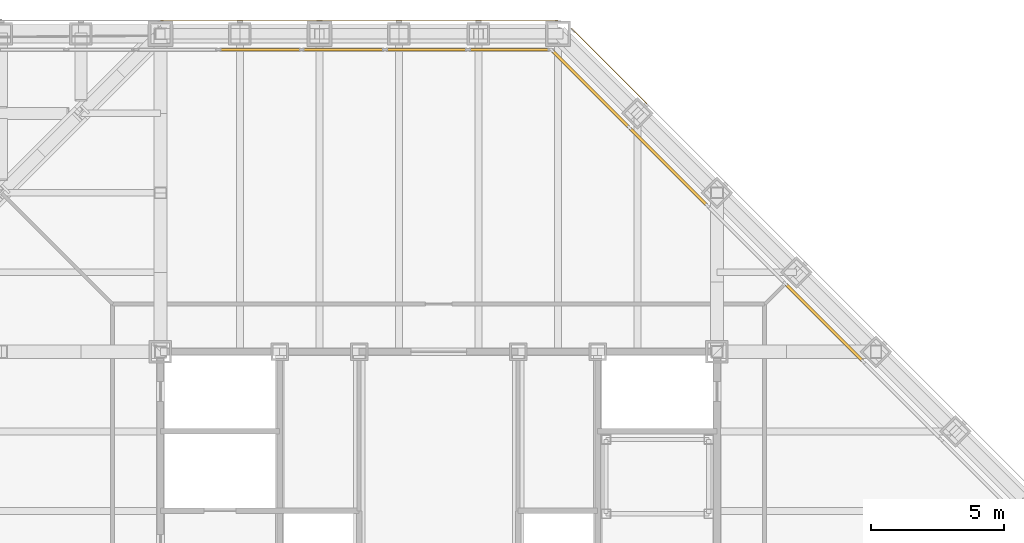
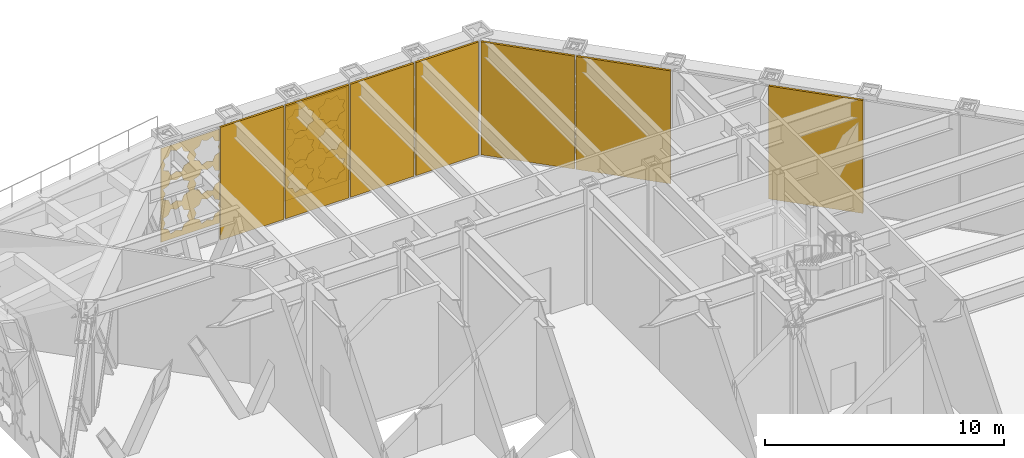
# One storey, part 27 of 28: 7 shading devices, 6 coverings, 2 elements without a shape of their own.
"""IFC4 building model written with IfcOpenShell, lengths in metres."""

from ifc_helpers import new_model, si_unit, direction, frame, origin, origin_2d, place, context, subcontext, project, spatial, polyline, rectangle, outline, extrude, material, layer, layer_set, type_object, element, aggregate, save


model = new_model("IFC4")

# Units and contexts
model_context = context("Model", 3, precision=1e-05, world=origin(), true_north=direction((0.0, 1.0)))
body_context = subcontext(model_context, "Body", "Model", "MODEL_VIEW")
ifc_project = project(units=[si_unit("LENGTHUNIT", "METRE"), si_unit("AREAUNIT", "SQUARE_METRE"), si_unit("VOLUMEUNIT", "CUBIC_METRE"), si_unit("PLANEANGLEUNIT", "RADIAN"), si_unit("MASSUNIT", "GRAM", prefix="KILO")], contexts=[model_context])

# Site, building, storey
site_placement = place(None, origin())
site = spatial("IfcSite", under=ifc_project, at=site_placement, CompositionType="ELEMENT")
building_placement = place(site_placement, origin())
building = spatial("IfcBuilding", under=site, at=building_placement, Name="Chuquiago Exchange Tower", CompositionType="ELEMENT")
storey_placement = place(building_placement, frame((0.0, 0.0, 174.0)))
storey = spatial("IfcBuildingStorey", under=building, at=storey_placement, Name="L38", CompositionType="ELEMENT", Elevation=174.0)

# Curtain wall, shading devices
ifc_material_1 = material(Name="Aluminium curtain wall system", Category="aluminium")
ifc_layer_1 = layer(ifc_material_1, 0.199951171875)
ifc_layer_set_1 = layer_set([ifc_layer_1], Name="CW6 plant floor louvre wall")
curtain_wall_type = type_object("IfcCurtainWallType", Name="CW6 plant floor louvre wall", PredefinedType="NOTDEFINED", material=ifc_layer_set_1)
curtain_wall_1_placement = place(storey_placement, origin())
curtain_wall_1 = element("IfcCurtainWall", 1, at=curtain_wall_1_placement, inside=storey, type_object=curtain_wall_type, Name="CW6 curtain wall L38", PredefinedType="NOTDEFINED")
ifc_material_2 = material(Name="Aluminium louvre", Category="aluminium")
ifc_layer_2 = layer(ifc_material_2, 0.10009765625)
ifc_layer_set_2 = layer_set([ifc_layer_2], Name="CW6-P louvre panel 100")
shading_device_type = type_object("IfcShadingDeviceType", Name="CW6-P louvre panel 100", PredefinedType="USERDEFINED", material=ifc_layer_set_2)
shading_device_1_placement = place(storey_placement, frame((37.04638671875, 34.10498046875, 0.0751953125), z_axis=(0.0, 0.0, 1.0), x_axis=(-0.707106781187, 0.707106781187, 0.0)))
shading_device_1 = element("IfcShadingDevice", 2, at=shading_device_1_placement, type_object=shading_device_type, Name="CW6 panel 3.1", ObjectType="LOUVER", PredefinedType="USERDEFINED", context=body_context, shape_type="SweptSolid", body=[
    extrude(rectangle(XDim=4.084716796875, YDim=0.10009765625, at=origin_2d()), origin(), (0.0, 0.0, 1.0), 5.764892578125),
])
shading_device_2_placement = place(storey_placement, frame((31.16357421875, 39.98779296875, 0.0751953125), z_axis=(0.0, 0.0, 1.0), x_axis=(-0.707106781187, 0.707106781187, 0.0)))
shading_device_2 = element("IfcShadingDevice", 3, at=shading_device_2_placement, type_object=shading_device_type, Name="CW6 panel 5.1", ObjectType="LOUVER", PredefinedType="USERDEFINED", context=body_context, shape_type="SweptSolid", body=[
    extrude(rectangle(XDim=4.084716796875, YDim=0.10009765625, at=origin_2d()), origin(), (0.0, 0.0, 1.0), 5.764892578125),
])
shading_device_3_placement = place(storey_placement, frame((28.2353515625, 42.916015625, 0.0751953125), z_axis=(0.0, 0.0, 1.0), x_axis=(-0.707106781187, 0.707106781187, 0.0)))
shading_device_3 = element("IfcShadingDevice", 4, at=shading_device_3_placement, type_object=shading_device_type, Name="CW6 panel 6.1", ObjectType="LOUVER", PredefinedType="USERDEFINED", context=body_context, shape_type="SweptSolid", body=[
    extrude(rectangle(XDim=4.04736328125, YDim=0.10009765625, at=origin_2d()), origin(), (0.0, 0.0, 1.0), 5.764892578125),
])
aggregate(curtain_wall_1, [shading_device_1, shading_device_2, shading_device_3])

curtain_wall_2_placement = place(storey_placement, origin())
curtain_wall_2 = element("IfcCurtainWall", 5, at=curtain_wall_2_placement, inside=storey, type_object=curtain_wall_type, Name="CW6 curtain wall L38", PredefinedType="NOTDEFINED")
shading_device_4_placement = place(storey_placement, frame((25.162353515625, 44.39990234375, 0.0751953125), z_axis=(0.0, 0.0, 1.0), x_axis=(-1.0, 0.0, 0.0)))
shading_device_4 = element("IfcShadingDevice", 6, at=shading_device_4_placement, type_object=shading_device_type, Name="CW6 panel 1.1", ObjectType="LOUVER", PredefinedType="USERDEFINED", context=body_context, shape_type="SweptSolid", body=[
    extrude(rectangle(XDim=3.028564453125, YDim=0.10009765625, at=origin_2d()), origin(), (0.0, 0.0, 1.0), 5.764892578125),
])
shading_device_5_placement = place(storey_placement, frame((22.0400390625, 44.39990234375, 0.0751953125), z_axis=(0.0, 0.0, 1.0), x_axis=(-1.0, 0.0, 0.0)))
shading_device_5 = element("IfcShadingDevice", 7, at=shading_device_5_placement, type_object=shading_device_type, Name="CW6 panel 2.1", ObjectType="LOUVER", PredefinedType="USERDEFINED", context=body_context, shape_type="SweptSolid", body=[
    extrude(rectangle(XDim=3.06591796875, YDim=0.10009765625, at=origin_2d()), origin(), (0.0, 0.0, 1.0), 5.764892578125),
])
shading_device_6_placement = place(storey_placement, frame((18.89892578125, 44.39990234375, 0.0751953125), z_axis=(0.0, 0.0, 1.0), x_axis=(-1.0, 0.0, 0.0)))
shading_device_6 = element("IfcShadingDevice", 8, at=shading_device_6_placement, type_object=shading_device_type, Name="CW6 panel 3.1", ObjectType="LOUVER", PredefinedType="USERDEFINED", context=body_context, shape_type="SweptSolid", body=[
    extrude(rectangle(XDim=3.06591796875, YDim=0.10009765625, at=origin_2d()), origin(), (0.0, 0.0, 1.0), 5.764892578125),
])
shading_device_7_placement = place(storey_placement, frame((15.758056640625, 44.39990234375, 0.0751953125), z_axis=(0.0, 0.0, 1.0), x_axis=(-1.0, 0.0, 0.0)))
shading_device_7 = element("IfcShadingDevice", 9, at=shading_device_7_placement, type_object=shading_device_type, Name="CW6 panel 4.1", ObjectType="LOUVER", PredefinedType="USERDEFINED", context=body_context, shape_type="SweptSolid", body=[
    extrude(rectangle(XDim=3.06591796875, YDim=0.10009765625, at=origin_2d()), origin(), (0.0, 0.0, 1.0), 5.764892578125),
])
aggregate(curtain_wall_2, [shading_device_4, shading_device_5, shading_device_6, shading_device_7])

# Coverings
ifc_material_3 = material(Name="Anodised aluminium, pale", Category="aluminium")
ifc_layer_3 = layer(ifc_material_3, 0.02001953125)
ifc_layer_set_3 = layer_set([ifc_layer_3], Name="GC1 girih cladding panel 20")
covering_type_1 = type_object("IfcCoveringType", Name="GC1 girih cladding panel 20", PredefinedType="CLADDING", material=ifc_layer_set_3)
covering_1_placement = place(storey_placement, frame((26.9951171875, 45.5, 0.050048828125), z_axis=(0.0, 0.0, 1.0), x_axis=(-1.0, 0.0, 0.0)))
element("IfcCovering", 10, at=covering_1_placement, inside=storey, type_object=covering_type_1, Name="Girih cladding panel L38 N 1", PredefinedType="CLADDING", context=body_context, shape_type="SweptSolid", body=[
    extrude(outline(polyline([(0.0, 0.0), (2.989990234375, 0.0), (2.989990234375, 4.7900390625), (0.0, 4.7900390625), (0.0, 0.0)]), holes=[polyline([(1.27392578125, 0.89990234375), (1.3828125, 1.1630859375), (1.11962890625, 1.272216796875), (1.0107421875, 1.535400390625), (0.74755859375, 1.42626953125), (0.484375, 1.535400390625), (0.375244140625, 1.272216796875), (0.112060546875, 1.1630859375), (0.22119140625, 0.89990234375), (0.112060546875, 0.63671875), (0.375244140625, 0.52783203125), (0.484375, 0.2646484375), (0.74755859375, 0.37353515625), (1.0107421875, 0.2646484375), (1.11962890625, 0.52783203125), (1.3828125, 0.63671875), (1.27392578125, 0.89990234375)]), polyline([(2.768798828125, 0.89990234375), (2.8779296875, 1.1630859375), (2.61474609375, 1.272216796875), (2.505615234375, 1.535400390625), (2.242431640625, 1.42626953125), (1.979248046875, 1.535400390625), (1.870361328125, 1.272216796875), (1.607177734375, 1.1630859375), (1.716064453125, 0.89990234375), (1.607177734375, 0.63671875), (1.870361328125, 0.52783203125), (1.979248046875, 0.2646484375), (2.242431640625, 0.37353515625), (2.505615234375, 0.2646484375), (2.61474609375, 0.52783203125), (2.8779296875, 0.63671875), (2.768798828125, 0.89990234375)]), polyline([(1.27392578125, 2.39501953125), (1.3828125, 2.658203125), (1.11962890625, 2.76708984375), (1.0107421875, 3.0302734375), (0.74755859375, 2.92138671875), (0.484375, 3.0302734375), (0.375244140625, 2.76708984375), (0.112060546875, 2.658203125), (0.22119140625, 2.39501953125), (0.112060546875, 2.1318359375), (0.375244140625, 2.022705078125), (0.484375, 1.759521484375), (0.74755859375, 1.86865234375), (1.0107421875, 1.759521484375), (1.11962890625, 2.022705078125), (1.3828125, 2.1318359375), (1.27392578125, 2.39501953125)]), polyline([(2.768798828125, 2.39501953125), (2.8779296875, 2.658203125), (2.61474609375, 2.76708984375), (2.505615234375, 3.0302734375), (2.242431640625, 2.92138671875), (1.979248046875, 3.0302734375), (1.870361328125, 2.76708984375), (1.607177734375, 2.658203125), (1.716064453125, 2.39501953125), (1.607177734375, 2.1318359375), (1.870361328125, 2.022705078125), (1.979248046875, 1.759521484375), (2.242431640625, 1.86865234375), (2.505615234375, 1.759521484375), (2.61474609375, 2.022705078125), (2.8779296875, 2.1318359375), (2.768798828125, 2.39501953125)]), polyline([(1.27392578125, 3.889892578125), (1.3828125, 4.153076171875), (1.11962890625, 4.26220703125), (1.0107421875, 4.525390625), (0.74755859375, 4.416259765625), (0.484375, 4.525390625), (0.375244140625, 4.26220703125), (0.112060546875, 4.153076171875), (0.22119140625, 3.889892578125), (0.112060546875, 3.626708984375), (0.375244140625, 3.517822265625), (0.484375, 3.254638671875), (0.74755859375, 3.363525390625), (1.0107421875, 3.254638671875), (1.11962890625, 3.517822265625), (1.3828125, 3.626708984375), (1.27392578125, 3.889892578125)]), polyline([(2.768798828125, 3.889892578125), (2.8779296875, 4.153076171875), (2.61474609375, 4.26220703125), (2.505615234375, 4.525390625), (2.242431640625, 4.416259765625), (1.979248046875, 4.525390625), (1.870361328125, 4.26220703125), (1.607177734375, 4.153076171875), (1.716064453125, 3.889892578125), (1.607177734375, 3.626708984375), (1.870361328125, 3.517822265625), (1.979248046875, 3.254638671875), (2.242431640625, 3.363525390625), (2.505615234375, 3.254638671875), (2.61474609375, 3.517822265625), (2.8779296875, 3.626708984375), (2.768798828125, 3.889892578125)])]), frame((0.0, 0.0, 0.0), z_axis=(0.0, -1.0, 0.0), x_axis=(1.0, 0.0, 0.0)), (0.0, 0.0, 1.0), 0.02001953125),
])
covering_2_placement = place(storey_placement, frame((23.9951171875, 45.5, 0.050048828125), z_axis=(0.0, 0.0, 1.0), x_axis=(-1.0, 0.0, 0.0)))
element("IfcCovering", 11, at=covering_2_placement, inside=storey, type_object=covering_type_1, Name="Girih cladding panel L38 N 2", PredefinedType="CLADDING", context=body_context, shape_type="SweptSolid", body=[
    extrude(outline(polyline([(0.0, 0.0), (2.989990234375, 0.0), (2.989990234375, 4.7900390625), (0.0, 4.7900390625), (0.0, 0.0)]), holes=[polyline([(1.27392578125, 0.89990234375), (1.3828125, 1.1630859375), (1.11962890625, 1.272216796875), (1.0107421875, 1.535400390625), (0.74755859375, 1.42626953125), (0.484375, 1.535400390625), (0.375244140625, 1.272216796875), (0.112060546875, 1.1630859375), (0.22119140625, 0.89990234375), (0.112060546875, 0.63671875), (0.375244140625, 0.52783203125), (0.484375, 0.2646484375), (0.74755859375, 0.37353515625), (1.0107421875, 0.2646484375), (1.11962890625, 0.52783203125), (1.3828125, 0.63671875), (1.27392578125, 0.89990234375)]), polyline([(2.768798828125, 0.89990234375), (2.8779296875, 1.1630859375), (2.61474609375, 1.272216796875), (2.505615234375, 1.535400390625), (2.242431640625, 1.42626953125), (1.979248046875, 1.535400390625), (1.870361328125, 1.272216796875), (1.607177734375, 1.1630859375), (1.716064453125, 0.89990234375), (1.607177734375, 0.63671875), (1.870361328125, 0.52783203125), (1.979248046875, 0.2646484375), (2.242431640625, 0.37353515625), (2.505615234375, 0.2646484375), (2.61474609375, 0.52783203125), (2.8779296875, 0.63671875), (2.768798828125, 0.89990234375)]), polyline([(1.27392578125, 2.39501953125), (1.3828125, 2.658203125), (1.11962890625, 2.76708984375), (1.0107421875, 3.0302734375), (0.74755859375, 2.92138671875), (0.484375, 3.0302734375), (0.375244140625, 2.76708984375), (0.112060546875, 2.658203125), (0.22119140625, 2.39501953125), (0.112060546875, 2.1318359375), (0.375244140625, 2.022705078125), (0.484375, 1.759521484375), (0.74755859375, 1.86865234375), (1.0107421875, 1.759521484375), (1.11962890625, 2.022705078125), (1.3828125, 2.1318359375), (1.27392578125, 2.39501953125)]), polyline([(2.768798828125, 2.39501953125), (2.8779296875, 2.658203125), (2.61474609375, 2.76708984375), (2.505615234375, 3.0302734375), (2.242431640625, 2.92138671875), (1.979248046875, 3.0302734375), (1.870361328125, 2.76708984375), (1.607177734375, 2.658203125), (1.716064453125, 2.39501953125), (1.607177734375, 2.1318359375), (1.870361328125, 2.022705078125), (1.979248046875, 1.759521484375), (2.242431640625, 1.86865234375), (2.505615234375, 1.759521484375), (2.61474609375, 2.022705078125), (2.8779296875, 2.1318359375), (2.768798828125, 2.39501953125)]), polyline([(1.27392578125, 3.889892578125), (1.3828125, 4.153076171875), (1.11962890625, 4.26220703125), (1.0107421875, 4.525390625), (0.74755859375, 4.416259765625), (0.484375, 4.525390625), (0.375244140625, 4.26220703125), (0.112060546875, 4.153076171875), (0.22119140625, 3.889892578125), (0.112060546875, 3.626708984375), (0.375244140625, 3.517822265625), (0.484375, 3.254638671875), (0.74755859375, 3.363525390625), (1.0107421875, 3.254638671875), (1.11962890625, 3.517822265625), (1.3828125, 3.626708984375), (1.27392578125, 3.889892578125)]), polyline([(2.768798828125, 3.889892578125), (2.8779296875, 4.153076171875), (2.61474609375, 4.26220703125), (2.505615234375, 4.525390625), (2.242431640625, 4.416259765625), (1.979248046875, 4.525390625), (1.870361328125, 4.26220703125), (1.607177734375, 4.153076171875), (1.716064453125, 3.889892578125), (1.607177734375, 3.626708984375), (1.870361328125, 3.517822265625), (1.979248046875, 3.254638671875), (2.242431640625, 3.363525390625), (2.505615234375, 3.254638671875), (2.61474609375, 3.517822265625), (2.8779296875, 3.626708984375), (2.768798828125, 3.889892578125)])]), frame((0.0, 0.0, 0.0), z_axis=(0.0, -1.0, 0.0), x_axis=(1.0, 0.0, 0.0)), (0.0, 0.0, 1.0), 0.02001953125),
])
covering_3_placement = place(storey_placement, frame((20.9951171875, 45.5, 0.050048828125), z_axis=(0.0, 0.0, 1.0), x_axis=(-1.0, 0.0, 0.0)))
element("IfcCovering", 12, at=covering_3_placement, inside=storey, type_object=covering_type_1, Name="Girih cladding panel L38 N 3", PredefinedType="CLADDING", context=body_context, shape_type="SweptSolid", body=[
    extrude(outline(polyline([(0.0, 0.0), (2.989990234375, 0.0), (2.989990234375, 4.7900390625), (0.0, 4.7900390625), (0.0, 0.0)]), holes=[polyline([(1.27392578125, 0.89990234375), (1.3828125, 1.1630859375), (1.11962890625, 1.272216796875), (1.0107421875, 1.535400390625), (0.74755859375, 1.42626953125), (0.484375, 1.535400390625), (0.375244140625, 1.272216796875), (0.112060546875, 1.1630859375), (0.22119140625, 0.89990234375), (0.112060546875, 0.63671875), (0.375244140625, 0.52783203125), (0.484375, 0.2646484375), (0.74755859375, 0.37353515625), (1.0107421875, 0.2646484375), (1.11962890625, 0.52783203125), (1.3828125, 0.63671875), (1.27392578125, 0.89990234375)]), polyline([(2.768798828125, 0.89990234375), (2.8779296875, 1.1630859375), (2.61474609375, 1.272216796875), (2.505615234375, 1.535400390625), (2.242431640625, 1.42626953125), (1.979248046875, 1.535400390625), (1.870361328125, 1.272216796875), (1.607177734375, 1.1630859375), (1.716064453125, 0.89990234375), (1.607177734375, 0.63671875), (1.870361328125, 0.52783203125), (1.979248046875, 0.2646484375), (2.242431640625, 0.37353515625), (2.505615234375, 0.2646484375), (2.61474609375, 0.52783203125), (2.8779296875, 0.63671875), (2.768798828125, 0.89990234375)]), polyline([(1.27392578125, 2.39501953125), (1.3828125, 2.658203125), (1.11962890625, 2.76708984375), (1.0107421875, 3.0302734375), (0.74755859375, 2.92138671875), (0.484375, 3.0302734375), (0.375244140625, 2.76708984375), (0.112060546875, 2.658203125), (0.22119140625, 2.39501953125), (0.112060546875, 2.1318359375), (0.375244140625, 2.022705078125), (0.484375, 1.759521484375), (0.74755859375, 1.86865234375), (1.0107421875, 1.759521484375), (1.11962890625, 2.022705078125), (1.3828125, 2.1318359375), (1.27392578125, 2.39501953125)]), polyline([(2.768798828125, 2.39501953125), (2.8779296875, 2.658203125), (2.61474609375, 2.76708984375), (2.505615234375, 3.0302734375), (2.242431640625, 2.92138671875), (1.979248046875, 3.0302734375), (1.870361328125, 2.76708984375), (1.607177734375, 2.658203125), (1.716064453125, 2.39501953125), (1.607177734375, 2.1318359375), (1.870361328125, 2.022705078125), (1.979248046875, 1.759521484375), (2.242431640625, 1.86865234375), (2.505615234375, 1.759521484375), (2.61474609375, 2.022705078125), (2.8779296875, 2.1318359375), (2.768798828125, 2.39501953125)]), polyline([(1.27392578125, 3.889892578125), (1.3828125, 4.153076171875), (1.11962890625, 4.26220703125), (1.0107421875, 4.525390625), (0.74755859375, 4.416259765625), (0.484375, 4.525390625), (0.375244140625, 4.26220703125), (0.112060546875, 4.153076171875), (0.22119140625, 3.889892578125), (0.112060546875, 3.626708984375), (0.375244140625, 3.517822265625), (0.484375, 3.254638671875), (0.74755859375, 3.363525390625), (1.0107421875, 3.254638671875), (1.11962890625, 3.517822265625), (1.3828125, 3.626708984375), (1.27392578125, 3.889892578125)]), polyline([(2.768798828125, 3.889892578125), (2.8779296875, 4.153076171875), (2.61474609375, 4.26220703125), (2.505615234375, 4.525390625), (2.242431640625, 4.416259765625), (1.979248046875, 4.525390625), (1.870361328125, 4.26220703125), (1.607177734375, 4.153076171875), (1.716064453125, 3.889892578125), (1.607177734375, 3.626708984375), (1.870361328125, 3.517822265625), (1.979248046875, 3.254638671875), (2.242431640625, 3.363525390625), (2.505615234375, 3.254638671875), (2.61474609375, 3.517822265625), (2.8779296875, 3.626708984375), (2.768798828125, 3.889892578125)])]), frame((0.0, 0.0, 0.0), z_axis=(0.0, -1.0, 0.0), x_axis=(1.0, 0.0, 0.0)), (0.0, 0.0, 1.0), 0.02001953125),
])
covering_4_placement = place(storey_placement, frame((17.9951171875, 45.5, 0.050048828125), z_axis=(0.0, 0.0, 1.0), x_axis=(-1.0, 0.0, 0.0)))
element("IfcCovering", 13, at=covering_4_placement, inside=storey, type_object=covering_type_1, Name="Girih cladding panel L38 N 4", PredefinedType="CLADDING", context=body_context, shape_type="SweptSolid", body=[
    extrude(outline(polyline([(0.0, 0.0), (2.989990234375, 0.0), (2.989990234375, 4.7900390625), (0.0, 4.7900390625), (0.0, 0.0)]), holes=[polyline([(1.27392578125, 0.89990234375), (1.3828125, 1.1630859375), (1.11962890625, 1.272216796875), (1.0107421875, 1.535400390625), (0.74755859375, 1.42626953125), (0.484375, 1.535400390625), (0.375244140625, 1.272216796875), (0.112060546875, 1.1630859375), (0.22119140625, 0.89990234375), (0.112060546875, 0.63671875), (0.375244140625, 0.52783203125), (0.484375, 0.2646484375), (0.74755859375, 0.37353515625), (1.0107421875, 0.2646484375), (1.11962890625, 0.52783203125), (1.3828125, 0.63671875), (1.27392578125, 0.89990234375)]), polyline([(2.768798828125, 0.89990234375), (2.8779296875, 1.1630859375), (2.61474609375, 1.272216796875), (2.505615234375, 1.535400390625), (2.242431640625, 1.42626953125), (1.979248046875, 1.535400390625), (1.870361328125, 1.272216796875), (1.607177734375, 1.1630859375), (1.716064453125, 0.89990234375), (1.607177734375, 0.63671875), (1.870361328125, 0.52783203125), (1.979248046875, 0.2646484375), (2.242431640625, 0.37353515625), (2.505615234375, 0.2646484375), (2.61474609375, 0.52783203125), (2.8779296875, 0.63671875), (2.768798828125, 0.89990234375)]), polyline([(1.27392578125, 2.39501953125), (1.3828125, 2.658203125), (1.11962890625, 2.76708984375), (1.0107421875, 3.0302734375), (0.74755859375, 2.92138671875), (0.484375, 3.0302734375), (0.375244140625, 2.76708984375), (0.112060546875, 2.658203125), (0.22119140625, 2.39501953125), (0.112060546875, 2.1318359375), (0.375244140625, 2.022705078125), (0.484375, 1.759521484375), (0.74755859375, 1.86865234375), (1.0107421875, 1.759521484375), (1.11962890625, 2.022705078125), (1.3828125, 2.1318359375), (1.27392578125, 2.39501953125)]), polyline([(2.768798828125, 2.39501953125), (2.8779296875, 2.658203125), (2.61474609375, 2.76708984375), (2.505615234375, 3.0302734375), (2.242431640625, 2.92138671875), (1.979248046875, 3.0302734375), (1.870361328125, 2.76708984375), (1.607177734375, 2.658203125), (1.716064453125, 2.39501953125), (1.607177734375, 2.1318359375), (1.870361328125, 2.022705078125), (1.979248046875, 1.759521484375), (2.242431640625, 1.86865234375), (2.505615234375, 1.759521484375), (2.61474609375, 2.022705078125), (2.8779296875, 2.1318359375), (2.768798828125, 2.39501953125)]), polyline([(1.27392578125, 3.889892578125), (1.3828125, 4.153076171875), (1.11962890625, 4.26220703125), (1.0107421875, 4.525390625), (0.74755859375, 4.416259765625), (0.484375, 4.525390625), (0.375244140625, 4.26220703125), (0.112060546875, 4.153076171875), (0.22119140625, 3.889892578125), (0.112060546875, 3.626708984375), (0.375244140625, 3.517822265625), (0.484375, 3.254638671875), (0.74755859375, 3.363525390625), (1.0107421875, 3.254638671875), (1.11962890625, 3.517822265625), (1.3828125, 3.626708984375), (1.27392578125, 3.889892578125)]), polyline([(2.768798828125, 3.889892578125), (2.8779296875, 4.153076171875), (2.61474609375, 4.26220703125), (2.505615234375, 4.525390625), (2.242431640625, 4.416259765625), (1.979248046875, 4.525390625), (1.870361328125, 4.26220703125), (1.607177734375, 4.153076171875), (1.716064453125, 3.889892578125), (1.607177734375, 3.626708984375), (1.870361328125, 3.517822265625), (1.979248046875, 3.254638671875), (2.242431640625, 3.363525390625), (2.505615234375, 3.254638671875), (2.61474609375, 3.517822265625), (2.8779296875, 3.626708984375), (2.768798828125, 3.889892578125)])]), frame((0.0, 0.0, 0.0), z_axis=(0.0, -1.0, 0.0), x_axis=(1.0, 0.0, 0.0)), (0.0, 0.0, 1.0), 0.02001953125),
])
covering_5_placement = place(storey_placement, frame((14.9951171875, 45.5, 0.050048828125), z_axis=(0.0, 0.0, 1.0), x_axis=(-1.0, 0.0, 0.0)))
element("IfcCovering", 14, at=covering_5_placement, inside=storey, type_object=covering_type_1, Name="Girih cladding panel L38 N 5", PredefinedType="CLADDING", context=body_context, shape_type="SweptSolid", body=[
    extrude(outline(polyline([(0.0, 0.0), (2.989990234375, 0.0), (2.989990234375, 4.7900390625), (0.0, 4.7900390625), (0.0, 0.0)]), holes=[polyline([(1.27392578125, 0.89990234375), (1.3828125, 1.1630859375), (1.11962890625, 1.272216796875), (1.0107421875, 1.535400390625), (0.74755859375, 1.42626953125), (0.484375, 1.535400390625), (0.375244140625, 1.272216796875), (0.112060546875, 1.1630859375), (0.22119140625, 0.89990234375), (0.112060546875, 0.63671875), (0.375244140625, 0.52783203125), (0.484375, 0.2646484375), (0.74755859375, 0.37353515625), (1.0107421875, 0.2646484375), (1.11962890625, 0.52783203125), (1.3828125, 0.63671875), (1.27392578125, 0.89990234375)]), polyline([(2.768798828125, 0.89990234375), (2.8779296875, 1.1630859375), (2.61474609375, 1.272216796875), (2.505615234375, 1.535400390625), (2.242431640625, 1.42626953125), (1.979248046875, 1.535400390625), (1.870361328125, 1.272216796875), (1.607177734375, 1.1630859375), (1.716064453125, 0.89990234375), (1.607177734375, 0.63671875), (1.870361328125, 0.52783203125), (1.979248046875, 0.2646484375), (2.242431640625, 0.37353515625), (2.505615234375, 0.2646484375), (2.61474609375, 0.52783203125), (2.8779296875, 0.63671875), (2.768798828125, 0.89990234375)]), polyline([(1.27392578125, 2.39501953125), (1.3828125, 2.658203125), (1.11962890625, 2.76708984375), (1.0107421875, 3.0302734375), (0.74755859375, 2.92138671875), (0.484375, 3.0302734375), (0.375244140625, 2.76708984375), (0.112060546875, 2.658203125), (0.22119140625, 2.39501953125), (0.112060546875, 2.1318359375), (0.375244140625, 2.022705078125), (0.484375, 1.759521484375), (0.74755859375, 1.86865234375), (1.0107421875, 1.759521484375), (1.11962890625, 2.022705078125), (1.3828125, 2.1318359375), (1.27392578125, 2.39501953125)]), polyline([(2.768798828125, 2.39501953125), (2.8779296875, 2.658203125), (2.61474609375, 2.76708984375), (2.505615234375, 3.0302734375), (2.242431640625, 2.92138671875), (1.979248046875, 3.0302734375), (1.870361328125, 2.76708984375), (1.607177734375, 2.658203125), (1.716064453125, 2.39501953125), (1.607177734375, 2.1318359375), (1.870361328125, 2.022705078125), (1.979248046875, 1.759521484375), (2.242431640625, 1.86865234375), (2.505615234375, 1.759521484375), (2.61474609375, 2.022705078125), (2.8779296875, 2.1318359375), (2.768798828125, 2.39501953125)]), polyline([(1.27392578125, 3.889892578125), (1.3828125, 4.153076171875), (1.11962890625, 4.26220703125), (1.0107421875, 4.525390625), (0.74755859375, 4.416259765625), (0.484375, 4.525390625), (0.375244140625, 4.26220703125), (0.112060546875, 4.153076171875), (0.22119140625, 3.889892578125), (0.112060546875, 3.626708984375), (0.375244140625, 3.517822265625), (0.484375, 3.254638671875), (0.74755859375, 3.363525390625), (1.0107421875, 3.254638671875), (1.11962890625, 3.517822265625), (1.3828125, 3.626708984375), (1.27392578125, 3.889892578125)]), polyline([(2.768798828125, 3.889892578125), (2.8779296875, 4.153076171875), (2.61474609375, 4.26220703125), (2.505615234375, 4.525390625), (2.242431640625, 4.416259765625), (1.979248046875, 4.525390625), (1.870361328125, 4.26220703125), (1.607177734375, 4.153076171875), (1.716064453125, 3.889892578125), (1.607177734375, 3.626708984375), (1.870361328125, 3.517822265625), (1.979248046875, 3.254638671875), (2.242431640625, 3.363525390625), (2.505615234375, 3.254638671875), (2.61474609375, 3.517822265625), (2.8779296875, 3.626708984375), (2.768798828125, 3.889892578125)])]), frame((0.0, 0.0, 0.0), z_axis=(0.0, -1.0, 0.0), x_axis=(1.0, 0.0, 0.0)), (0.0, 0.0, 1.0), 0.02001953125),
])
ifc_material_4 = material(Name="Anodised aluminium, pale", Category="aluminium")
ifc_layer_4 = layer(ifc_material_4, 0.02001953125)
ifc_layer_set_4 = layer_set([ifc_layer_4], Name="GC5 girih cladding panel 20")
covering_type_2 = type_object("IfcCoveringType", Name="GC5 girih cladding panel 20", PredefinedType="CLADDING", material=ifc_layer_set_4)
covering_6_placement = place(storey_placement, frame((30.35009765625, 42.357177734375, 0.050048828125), z_axis=(0.0, 0.0, 1.0), x_axis=(-0.707106781187, 0.707106781187, 0.0)))
element("IfcCovering", 15, at=covering_6_placement, inside=storey, type_object=covering_type_2, Name="Girih cladding panel L38 NE 6", PredefinedType="CLADDING", context=body_context, shape_type="SweptSolid", body=[
    extrude(outline(polyline([(0.0, 0.0), (4.030517578125, 0.0), (4.030517578125, 4.7900390625), (0.0, 4.7900390625), (0.0, 0.0)]), holes=[polyline([(1.144775390625, 1.051513671875), (1.24267578125, 1.287841796875), (1.006103515625, 1.385986328125), (0.908203125, 1.62255859375), (0.671630859375, 1.5244140625), (0.435302734375, 1.62255859375), (0.33740234375, 1.385986328125), (0.100830078125, 1.287841796875), (0.19873046875, 1.051513671875), (0.100830078125, 0.81494140625), (0.33740234375, 0.717041015625), (0.435302734375, 0.48046875), (0.671630859375, 0.578369140625), (0.908203125, 0.48046875), (1.006103515625, 0.717041015625), (1.24267578125, 0.81494140625), (1.144775390625, 1.051513671875)]), polyline([(2.48828125, 1.051513671875), (2.586181640625, 1.287841796875), (2.349609375, 1.385986328125), (2.251708984375, 1.62255859375), (2.01513671875, 1.5244140625), (1.77880859375, 1.62255859375), (1.680908203125, 1.385986328125), (1.4443359375, 1.287841796875), (1.542236328125, 1.051513671875), (1.4443359375, 0.81494140625), (1.680908203125, 0.717041015625), (1.77880859375, 0.48046875), (2.01513671875, 0.578369140625), (2.251708984375, 0.48046875), (2.349609375, 0.717041015625), (2.586181640625, 0.81494140625), (2.48828125, 1.051513671875)]), polyline([(3.831787109375, 1.051513671875), (3.9296875, 1.287841796875), (3.693115234375, 1.385986328125), (3.59521484375, 1.62255859375), (3.358642578125, 1.5244140625), (3.122314453125, 1.62255859375), (3.0244140625, 1.385986328125), (2.787841796875, 1.287841796875), (2.8857421875, 1.051513671875), (2.787841796875, 0.81494140625), (3.0244140625, 0.717041015625), (3.122314453125, 0.48046875), (3.358642578125, 0.578369140625), (3.59521484375, 0.48046875), (3.693115234375, 0.717041015625), (3.9296875, 0.81494140625), (3.831787109375, 1.051513671875)]), polyline([(1.144775390625, 2.39501953125), (1.24267578125, 2.63134765625), (1.006103515625, 2.7294921875), (0.908203125, 2.966064453125), (0.671630859375, 2.867919921875), (0.435302734375, 2.966064453125), (0.33740234375, 2.7294921875), (0.100830078125, 2.63134765625), (0.19873046875, 2.39501953125), (0.100830078125, 2.158447265625), (0.33740234375, 2.060546875), (0.435302734375, 1.823974609375), (0.671630859375, 1.921875), (0.908203125, 1.823974609375), (1.006103515625, 2.060546875), (1.24267578125, 2.158447265625), (1.144775390625, 2.39501953125)]), polyline([(2.48828125, 2.39501953125), (2.586181640625, 2.63134765625), (2.349609375, 2.7294921875), (2.251708984375, 2.966064453125), (2.01513671875, 2.867919921875), (1.77880859375, 2.966064453125), (1.680908203125, 2.7294921875), (1.4443359375, 2.63134765625), (1.542236328125, 2.39501953125), (1.4443359375, 2.158447265625), (1.680908203125, 2.060546875), (1.77880859375, 1.823974609375), (2.01513671875, 1.921875), (2.251708984375, 1.823974609375), (2.349609375, 2.060546875), (2.586181640625, 2.158447265625), (2.48828125, 2.39501953125)]), polyline([(3.831787109375, 2.39501953125), (3.9296875, 2.63134765625), (3.693115234375, 2.7294921875), (3.59521484375, 2.966064453125), (3.358642578125, 2.867919921875), (3.122314453125, 2.966064453125), (3.0244140625, 2.7294921875), (2.787841796875, 2.63134765625), (2.8857421875, 2.39501953125), (2.787841796875, 2.158447265625), (3.0244140625, 2.060546875), (3.122314453125, 1.823974609375), (3.358642578125, 1.921875), (3.59521484375, 1.823974609375), (3.693115234375, 2.060546875), (3.9296875, 2.158447265625), (3.831787109375, 2.39501953125)]), polyline([(1.144775390625, 3.738525390625), (1.24267578125, 3.974853515625), (1.006103515625, 4.072998046875), (0.908203125, 4.3095703125), (0.671630859375, 4.21142578125), (0.435302734375, 4.3095703125), (0.33740234375, 4.072998046875), (0.100830078125, 3.974853515625), (0.19873046875, 3.738525390625), (0.100830078125, 3.501953125), (0.33740234375, 3.404052734375), (0.435302734375, 3.16748046875), (0.671630859375, 3.265380859375), (0.908203125, 3.16748046875), (1.006103515625, 3.404052734375), (1.24267578125, 3.501953125), (1.144775390625, 3.738525390625)]), polyline([(2.48828125, 3.738525390625), (2.586181640625, 3.974853515625), (2.349609375, 4.072998046875), (2.251708984375, 4.3095703125), (2.01513671875, 4.21142578125), (1.77880859375, 4.3095703125), (1.680908203125, 4.072998046875), (1.4443359375, 3.974853515625), (1.542236328125, 3.738525390625), (1.4443359375, 3.501953125), (1.680908203125, 3.404052734375), (1.77880859375, 3.16748046875), (2.01513671875, 3.265380859375), (2.251708984375, 3.16748046875), (2.349609375, 3.404052734375), (2.586181640625, 3.501953125), (2.48828125, 3.738525390625)]), polyline([(3.831787109375, 3.738525390625), (3.9296875, 3.974853515625), (3.693115234375, 4.072998046875), (3.59521484375, 4.3095703125), (3.358642578125, 4.21142578125), (3.122314453125, 4.3095703125), (3.0244140625, 4.072998046875), (2.787841796875, 3.974853515625), (2.8857421875, 3.738525390625), (2.787841796875, 3.501953125), (3.0244140625, 3.404052734375), (3.122314453125, 3.16748046875), (3.358642578125, 3.265380859375), (3.59521484375, 3.16748046875), (3.693115234375, 3.404052734375), (3.9296875, 3.501953125), (3.831787109375, 3.738525390625)])]), frame((0.0, 0.0, 0.0), z_axis=(0.0, -1.0, 0.0), x_axis=(1.0, 0.0, 0.0)), (0.0, 0.0, 1.0), 0.02001953125),
])

save(model, "model.ifc")
